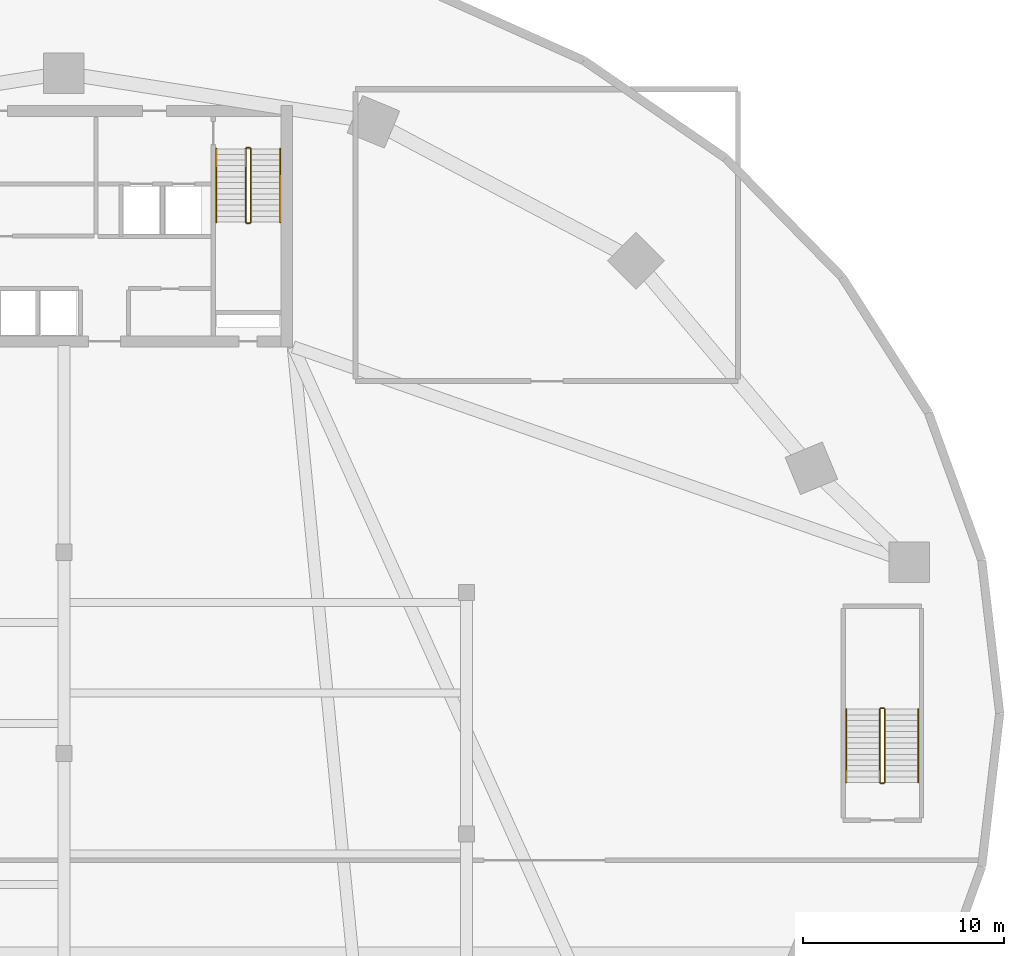
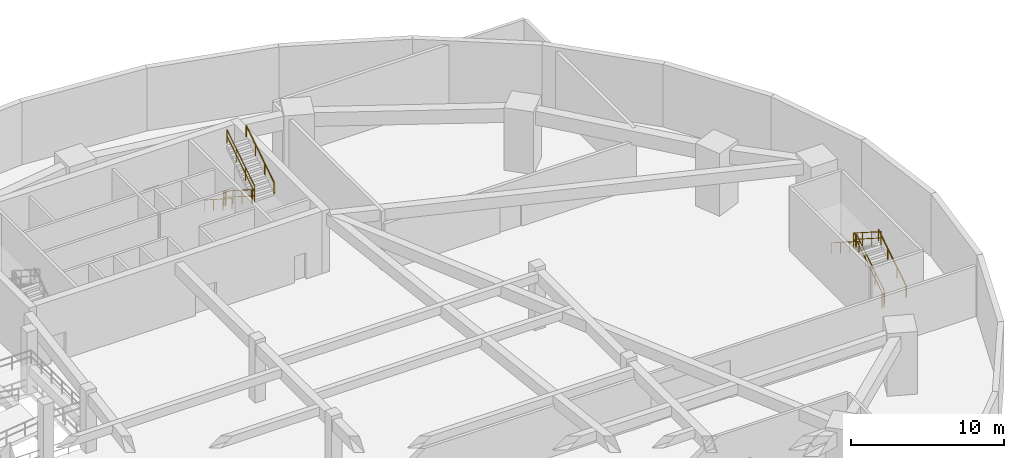
# One storey, part 10 of 10: 12 railings.
"""IFC4 building model written with IfcOpenShell, lengths in metres."""

from ifc_helpers import new_model, si_unit, direction, frame, origin, origin_2d, place, context, subcontext, project, spatial, rectangle, extrude, material, type_object, element, save


model = new_model("IFC4")

# Units and contexts
model_context = context("Model", 3, precision=1e-05, world=origin(), true_north=direction((0.0, 1.0)))
body_context = subcontext(model_context, "Body", "Model", "MODEL_VIEW")
ifc_project = project(units=[si_unit("LENGTHUNIT", "METRE"), si_unit("AREAUNIT", "SQUARE_METRE"), si_unit("VOLUMEUNIT", "CUBIC_METRE"), si_unit("PLANEANGLEUNIT", "RADIAN"), si_unit("MASSUNIT", "GRAM", prefix="KILO")], contexts=[model_context])

# Site, building, storey
site_placement = place(None, origin())
site = spatial("IfcSite", under=ifc_project, at=site_placement, CompositionType="ELEMENT")
building_placement = place(site_placement, origin())
building = spatial("IfcBuilding", under=site, at=building_placement, Name="Breltana Convention Tower", CompositionType="ELEMENT")
storey_placement = place(building_placement, frame((0.0, 0.0, -5.0)))
storey = spatial("IfcBuildingStorey", under=building, at=storey_placement, Name="B01", CompositionType="ELEMENT", Elevation=-5.0)

# Railings
ifc_material_1 = material(Name="Steel S275 Painted", Category="steel")
railing_type_1 = type_object("IfcRailingType", Name="RL-STAIR-GUARD-1100", PredefinedType="GUARDRAIL", material=ifc_material_1)
railing_1_placement = place(storey_placement, frame((57.0400390625, 70.0400390625, 0.178466796875)))
element("IfcRailing", 1, at=railing_1_placement, inside=storey, type_object=railing_type_1, Name="B01 ST-2 stair guard 1", PredefinedType="GUARDRAIL", context=body_context, shape_type="SweptSolid", body=[
    extrude(rectangle(XDim=0.048095703125, YDim=0.048095703125, at=origin_2d()), frame((0.0, 0.0, 1.076171875), z_axis=(0.0, -0.843127859045, 0.537713132908), x_axis=(1.0, 0.0, 0.0)), (0.0, 0.0, 1.0), 4.3173828125),
    extrude(rectangle(XDim=0.048095703125, YDim=0.048095703125, at=origin_2d()), frame((0.0, 0.0, 0.572021484375), z_axis=(0.0, -0.843127859045, 0.537713132908), x_axis=(1.0, 0.0, 0.0)), (0.0, 0.0, 1.0), 4.3173828125),
    extrude(rectangle(XDim=0.0419921875, YDim=0.0419921875, at=origin_2d()), origin(), (0.0, 0.0, 1.0), 1.052001953125),
    extrude(rectangle(XDim=0.0419921875, YDim=0.0419921875, at=origin_2d()), frame((0.0, -1.21337890625, 0.77392578125)), (0.0, 0.0, 1.0), 1.052001953125),
    extrude(rectangle(XDim=0.0419921875, YDim=0.0419921875, at=origin_2d()), frame((0.0, -2.4267578125, 1.547607421875)), (0.0, 0.0, 1.0), 1.052001953125),
    extrude(rectangle(XDim=0.0419921875, YDim=0.0419921875, at=origin_2d()), frame((0.0, -3.64013671875, 2.321533203125)), (0.0, 0.0, 1.0), 1.052001953125),
])
railing_2_placement = place(storey_placement, frame((57.090087890625, 66.35009765625, 2.5)))
element("IfcRailing", 2, at=railing_2_placement, inside=storey, type_object=railing_type_1, Name="B01 ST-2 stair guard 2", PredefinedType="GUARDRAIL", context=body_context, shape_type="SweptSolid", body=[
    extrude(rectangle(XDim=0.048095703125, YDim=0.048095703125, at=origin_2d()), frame((0.0, 0.0, 1.076171875), z_axis=(1.0, 0.0, 0.0), x_axis=(0.0, 1.0, 0.0)), (0.0, 0.0, 1.0), 0.14990234375),
    extrude(rectangle(XDim=0.048095703125, YDim=0.048095703125, at=origin_2d()), frame((0.0, 0.0, 0.572021484375), z_axis=(1.0, 0.0, 0.0), x_axis=(0.0, 1.0, 0.0)), (0.0, 0.0, 1.0), 0.14990234375),
    extrude(rectangle(XDim=0.0419921875, YDim=0.0419921875, at=origin_2d()), origin(), (0.0, 0.0, 1.0), 1.052001953125),
    extrude(rectangle(XDim=0.0419921875, YDim=0.0419921875, at=origin_2d()), frame((0.14990234375, 0.0, 0.0)), (0.0, 0.0, 1.0), 1.052001953125),
])
railing_3_placement = place(storey_placement, frame((57.2900390625, 66.39990234375, 2.678466796875)))
element("IfcRailing", 3, at=railing_3_placement, inside=storey, type_object=railing_type_1, Name="B01 ST-2 stair guard 3", PredefinedType="GUARDRAIL", context=body_context, shape_type="SweptSolid", body=[
    extrude(rectangle(XDim=0.048095703125, YDim=0.048095703125, at=origin_2d()), frame((0.0, 0.0, 1.076171875), z_axis=(0.0, 0.843127859045, 0.537713132908), x_axis=(-1.0, 0.0, 0.0)), (0.0, 0.0, 1.0), 4.3173828125),
    extrude(rectangle(XDim=0.048095703125, YDim=0.048095703125, at=origin_2d()), frame((0.0, 0.0, 0.572021484375), z_axis=(0.0, 0.843127859045, 0.537713132908), x_axis=(-1.0, 0.0, 0.0)), (0.0, 0.0, 1.0), 4.3173828125),
    extrude(rectangle(XDim=0.0419921875, YDim=0.0419921875, at=origin_2d()), origin(), (0.0, 0.0, 1.0), 1.052001953125),
    extrude(rectangle(XDim=0.0419921875, YDim=0.0419921875, at=origin_2d()), frame((0.0, 1.21337890625, 0.77392578125)), (0.0, 0.0, 1.0), 1.052001953125),
    extrude(rectangle(XDim=0.0419921875, YDim=0.0419921875, at=origin_2d()), frame((0.0, 2.4267578125, 1.547607421875)), (0.0, 0.0, 1.0), 1.052001953125),
    extrude(rectangle(XDim=0.0419921875, YDim=0.0419921875, at=origin_2d()), frame((0.0, 3.64013671875, 2.321533203125)), (0.0, 0.0, 1.0), 1.052001953125),
])
railing_4_placement = place(storey_placement, frame((57.090087890625, 70.090087890625, 0.0)))
element("IfcRailing", 4, at=railing_4_placement, inside=storey, type_object=railing_type_1, Name="B01 ST-2 stair guard 4", PredefinedType="GUARDRAIL", context=body_context, shape_type="SweptSolid", body=[
    extrude(rectangle(XDim=0.048095703125, YDim=0.048095703125, at=origin_2d()), frame((0.0, 0.0, 1.076171875), z_axis=(1.0, 0.0, 0.0), x_axis=(0.0, 1.0, 0.0)), (0.0, 0.0, 1.0), 0.14990234375),
    extrude(rectangle(XDim=0.048095703125, YDim=0.048095703125, at=origin_2d()), frame((0.0, 0.0, 0.572021484375), z_axis=(1.0, 0.0, 0.0), x_axis=(0.0, 1.0, 0.0)), (0.0, 0.0, 1.0), 0.14990234375),
    extrude(rectangle(XDim=0.0419921875, YDim=0.0419921875, at=origin_2d()), origin(), (0.0, 0.0, 1.0), 1.052001953125),
    extrude(rectangle(XDim=0.0419921875, YDim=0.0419921875, at=origin_2d()), frame((0.14990234375, 0.0, 0.0)), (0.0, 0.0, 1.0), 1.052001953125),
])
railing_5_placement = place(storey_placement, frame((88.7900390625, 38.56005859375, 0.178466796875)))
element("IfcRailing", 5, at=railing_5_placement, inside=storey, type_object=railing_type_1, Name="B01 ST-4 stair guard 1", PredefinedType="GUARDRAIL", context=body_context, shape_type="SweptSolid", body=[
    extrude(rectangle(XDim=0.048095703125, YDim=0.048095703125, at=origin_2d()), frame((0.0, 0.0, 1.076171875), z_axis=(0.0, 0.843111507901, 0.53773877045), x_axis=(-1.0, 0.0, 0.0)), (0.0, 0.0, 1.0), 4.317138671875),
    extrude(rectangle(XDim=0.048095703125, YDim=0.048095703125, at=origin_2d()), frame((0.0, 0.0, 0.572021484375), z_axis=(0.0, 0.843111507901, 0.53773877045), x_axis=(-1.0, 0.0, 0.0)), (0.0, 0.0, 1.0), 4.317138671875),
    extrude(rectangle(XDim=0.0419921875, YDim=0.0419921875, at=origin_2d()), origin(), (0.0, 0.0, 1.0), 1.052001953125),
    extrude(rectangle(XDim=0.0419921875, YDim=0.0419921875, at=origin_2d()), frame((0.0, 1.21337890625, 0.77392578125)), (0.0, 0.0, 1.0), 1.052001953125),
    extrude(rectangle(XDim=0.0419921875, YDim=0.0419921875, at=origin_2d()), frame((0.0, 2.426513671875, 1.547607421875)), (0.0, 0.0, 1.0), 1.052001953125),
    extrude(rectangle(XDim=0.0419921875, YDim=0.0419921875, at=origin_2d()), frame((0.0, 3.639892578125, 2.321533203125)), (0.0, 0.0, 1.0), 1.052001953125),
])
railing_6_placement = place(storey_placement, frame((88.739990234375, 42.25, 2.5)))
element("IfcRailing", 6, at=railing_6_placement, inside=storey, type_object=railing_type_1, Name="B01 ST-4 stair guard 2", PredefinedType="GUARDRAIL", context=body_context, shape_type="SweptSolid", body=[
    extrude(rectangle(XDim=0.048095703125, YDim=0.048095703125, at=origin_2d()), frame((0.0, 0.0, 1.076171875), z_axis=(-1.0, 0.0, 0.0), x_axis=(0.0, -1.0, 0.0)), (0.0, 0.0, 1.0), 0.14990234375),
    extrude(rectangle(XDim=0.048095703125, YDim=0.048095703125, at=origin_2d()), frame((0.0, 0.0, 0.572021484375), z_axis=(-1.0, 0.0, 0.0), x_axis=(0.0, -1.0, 0.0)), (0.0, 0.0, 1.0), 0.14990234375),
    extrude(rectangle(XDim=0.0419921875, YDim=0.0419921875, at=origin_2d()), origin(), (0.0, 0.0, 1.0), 1.052001953125),
    extrude(rectangle(XDim=0.0419921875, YDim=0.0419921875, at=origin_2d()), frame((-0.14990234375, 0.0, 0.0)), (0.0, 0.0, 1.0), 1.052001953125),
])
railing_7_placement = place(storey_placement, frame((88.5400390625, 42.199951171875, 2.678466796875)))
element("IfcRailing", 7, at=railing_7_placement, inside=storey, type_object=railing_type_1, Name="B01 ST-4 stair guard 3", PredefinedType="GUARDRAIL", context=body_context, shape_type="SweptSolid", body=[
    extrude(rectangle(XDim=0.048095703125, YDim=0.048095703125, at=origin_2d()), frame((0.0, 0.0, 1.076171875), z_axis=(0.0, -0.843111507901, 0.53773877045), x_axis=(1.0, 0.0, 0.0)), (0.0, 0.0, 1.0), 4.317138671875),
    extrude(rectangle(XDim=0.048095703125, YDim=0.048095703125, at=origin_2d()), frame((0.0, 0.0, 0.572021484375), z_axis=(0.0, -0.843111507901, 0.53773877045), x_axis=(1.0, 0.0, 0.0)), (0.0, 0.0, 1.0), 4.317138671875),
    extrude(rectangle(XDim=0.0419921875, YDim=0.0419921875, at=origin_2d()), origin(), (0.0, 0.0, 1.0), 1.052001953125),
    extrude(rectangle(XDim=0.0419921875, YDim=0.0419921875, at=origin_2d()), frame((0.0, -1.21337890625, 0.77392578125)), (0.0, 0.0, 1.0), 1.052001953125),
    extrude(rectangle(XDim=0.0419921875, YDim=0.0419921875, at=origin_2d()), frame((0.0, -2.426513671875, 1.547607421875)), (0.0, 0.0, 1.0), 1.052001953125),
    extrude(rectangle(XDim=0.0419921875, YDim=0.0419921875, at=origin_2d()), frame((0.0, -3.639892578125, 2.321533203125)), (0.0, 0.0, 1.0), 1.052001953125),
])
railing_8_placement = place(storey_placement, frame((88.739990234375, 38.510009765625, 0.0)))
element("IfcRailing", 8, at=railing_8_placement, inside=storey, type_object=railing_type_1, Name="B01 ST-4 stair guard 4", PredefinedType="GUARDRAIL", context=body_context, shape_type="SweptSolid", body=[
    extrude(rectangle(XDim=0.048095703125, YDim=0.048095703125, at=origin_2d()), frame((0.0, 0.0, 1.076171875), z_axis=(-1.0, 0.0, 0.0), x_axis=(0.0, -1.0, 0.0)), (0.0, 0.0, 1.0), 0.14990234375),
    extrude(rectangle(XDim=0.048095703125, YDim=0.048095703125, at=origin_2d()), frame((0.0, 0.0, 0.572021484375), z_axis=(-1.0, 0.0, 0.0), x_axis=(0.0, -1.0, 0.0)), (0.0, 0.0, 1.0), 0.14990234375),
    extrude(rectangle(XDim=0.0419921875, YDim=0.0419921875, at=origin_2d()), origin(), (0.0, 0.0, 1.0), 1.052001953125),
    extrude(rectangle(XDim=0.0419921875, YDim=0.0419921875, at=origin_2d()), frame((-0.14990234375, 0.0, 0.0)), (0.0, 0.0, 1.0), 1.052001953125),
])
ifc_material_2 = material(Name="Stainless Steel 316L", Category="steel")
railing_type_2 = type_object("IfcRailingType", Name="RL-STAIR-HANDRAIL-900", PredefinedType="HANDRAIL", material=ifc_material_2)
railing_9_placement = place(storey_placement, frame((55.580078125, 70.0400390625, 0.178466796875)))
element("IfcRailing", 9, at=railing_9_placement, inside=storey, type_object=railing_type_2, Name="B01 ST-2 stair handrail 1", PredefinedType="HANDRAIL", context=body_context, shape_type="SweptSolid", body=[
    extrude(rectangle(XDim=0.048095703125, YDim=0.048095703125, at=origin_2d()), frame((0.0, 0.0, 0.8759765625), z_axis=(0.0, -0.843127859045, 0.537713132908), x_axis=(1.0, 0.0, 0.0)), (0.0, 0.0, 1.0), 4.3173828125),
    extrude(rectangle(XDim=0.0419921875, YDim=0.0419921875, at=origin_2d()), origin(), (0.0, 0.0, 1.0), 0.851806640625),
    extrude(rectangle(XDim=0.0419921875, YDim=0.0419921875, at=origin_2d()), frame((0.0, -1.21337890625, 0.77392578125)), (0.0, 0.0, 1.0), 0.851806640625),
    extrude(rectangle(XDim=0.0419921875, YDim=0.0419921875, at=origin_2d()), frame((0.0, -2.4267578125, 1.547607421875)), (0.0, 0.0, 1.0), 0.851806640625),
    extrude(rectangle(XDim=0.0419921875, YDim=0.0419921875, at=origin_2d()), frame((0.0, -3.64013671875, 2.321533203125)), (0.0, 0.0, 1.0), 0.851806640625),
])
railing_10_placement = place(storey_placement, frame((58.75, 66.39990234375, 2.678466796875)))
element("IfcRailing", 10, at=railing_10_placement, inside=storey, type_object=railing_type_2, Name="B01 ST-2 stair handrail 2", PredefinedType="HANDRAIL", context=body_context, shape_type="SweptSolid", body=[
    extrude(rectangle(XDim=0.048095703125, YDim=0.048095703125, at=origin_2d()), frame((0.0, 0.0, 0.8759765625), z_axis=(0.0, 0.843127859045, 0.537713132908), x_axis=(-1.0, 0.0, 0.0)), (0.0, 0.0, 1.0), 4.3173828125),
    extrude(rectangle(XDim=0.0419921875, YDim=0.0419921875, at=origin_2d()), origin(), (0.0, 0.0, 1.0), 0.851806640625),
    extrude(rectangle(XDim=0.0419921875, YDim=0.0419921875, at=origin_2d()), frame((0.0, 1.21337890625, 0.77392578125)), (0.0, 0.0, 1.0), 0.851806640625),
    extrude(rectangle(XDim=0.0419921875, YDim=0.0419921875, at=origin_2d()), frame((0.0, 2.4267578125, 1.547607421875)), (0.0, 0.0, 1.0), 0.851806640625),
    extrude(rectangle(XDim=0.0419921875, YDim=0.0419921875, at=origin_2d()), frame((0.0, 3.64013671875, 2.321533203125)), (0.0, 0.0, 1.0), 0.851806640625),
])
railing_11_placement = place(storey_placement, frame((90.449951171875, 38.56005859375, 0.178466796875)))
element("IfcRailing", 11, at=railing_11_placement, inside=storey, type_object=railing_type_2, Name="B01 ST-4 stair handrail 1", PredefinedType="HANDRAIL", context=body_context, shape_type="SweptSolid", body=[
    extrude(rectangle(XDim=0.048095703125, YDim=0.048095703125, at=origin_2d()), frame((0.0, 0.0, 0.8759765625), z_axis=(0.0, 0.843111507901, 0.53773877045), x_axis=(-1.0, 0.0, 0.0)), (0.0, 0.0, 1.0), 4.317138671875),
    extrude(rectangle(XDim=0.0419921875, YDim=0.0419921875, at=origin_2d()), origin(), (0.0, 0.0, 1.0), 0.851806640625),
    extrude(rectangle(XDim=0.0419921875, YDim=0.0419921875, at=origin_2d()), frame((0.0, 1.21337890625, 0.77392578125)), (0.0, 0.0, 1.0), 0.851806640625),
    extrude(rectangle(XDim=0.0419921875, YDim=0.0419921875, at=origin_2d()), frame((0.0, 2.426513671875, 1.547607421875)), (0.0, 0.0, 1.0), 0.851806640625),
    extrude(rectangle(XDim=0.0419921875, YDim=0.0419921875, at=origin_2d()), frame((0.0, 3.639892578125, 2.321533203125)), (0.0, 0.0, 1.0), 0.851806640625),
])
railing_12_placement = place(storey_placement, frame((86.8798828125, 42.199951171875, 2.678466796875)))
element("IfcRailing", 12, at=railing_12_placement, inside=storey, type_object=railing_type_2, Name="B01 ST-4 stair handrail 2", PredefinedType="HANDRAIL", context=body_context, shape_type="SweptSolid", body=[
    extrude(rectangle(XDim=0.048095703125, YDim=0.048095703125, at=origin_2d()), frame((0.0, 0.0, 0.8759765625), z_axis=(0.0, -0.843111507901, 0.53773877045), x_axis=(1.0, 0.0, 0.0)), (0.0, 0.0, 1.0), 4.317138671875),
    extrude(rectangle(XDim=0.0419921875, YDim=0.0419921875, at=origin_2d()), origin(), (0.0, 0.0, 1.0), 0.851806640625),
    extrude(rectangle(XDim=0.0419921875, YDim=0.0419921875, at=origin_2d()), frame((0.0, -1.21337890625, 0.77392578125)), (0.0, 0.0, 1.0), 0.851806640625),
    extrude(rectangle(XDim=0.0419921875, YDim=0.0419921875, at=origin_2d()), frame((0.0, -2.426513671875, 1.547607421875)), (0.0, 0.0, 1.0), 0.851806640625),
    extrude(rectangle(XDim=0.0419921875, YDim=0.0419921875, at=origin_2d()), frame((0.0, -3.639892578125, 2.321533203125)), (0.0, 0.0, 1.0), 0.851806640625),
])

save(model, "model.ifc")
